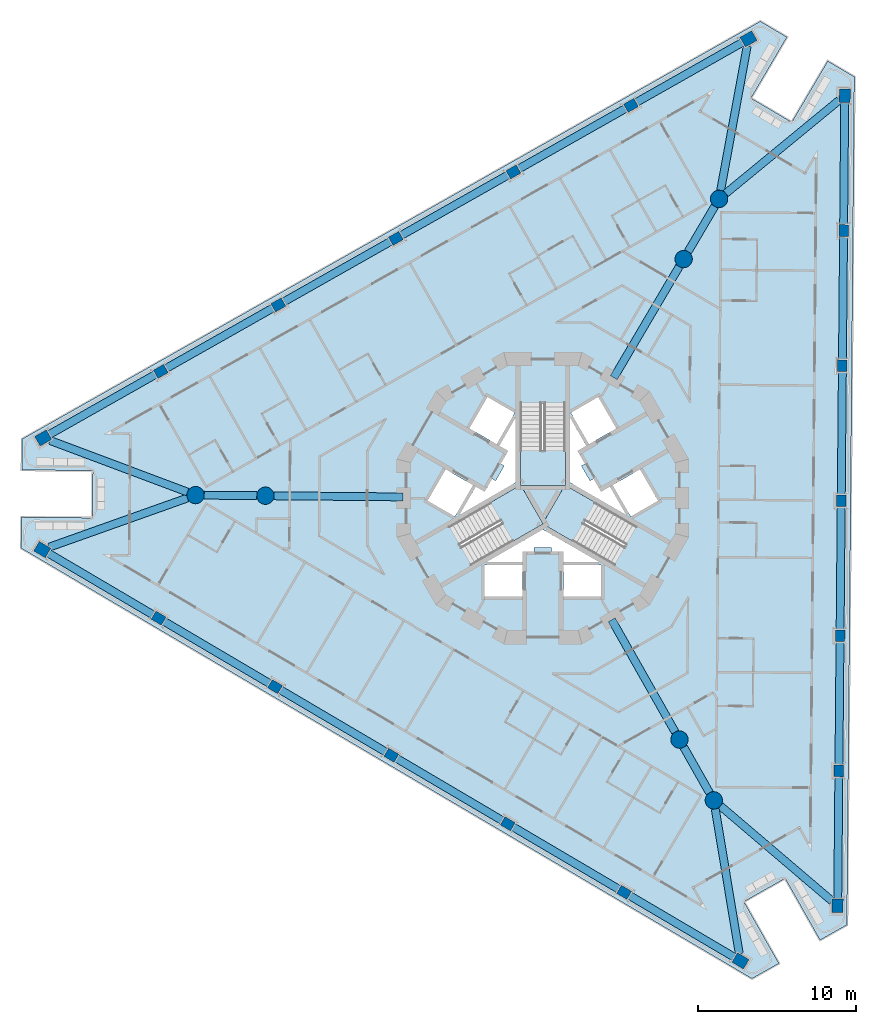
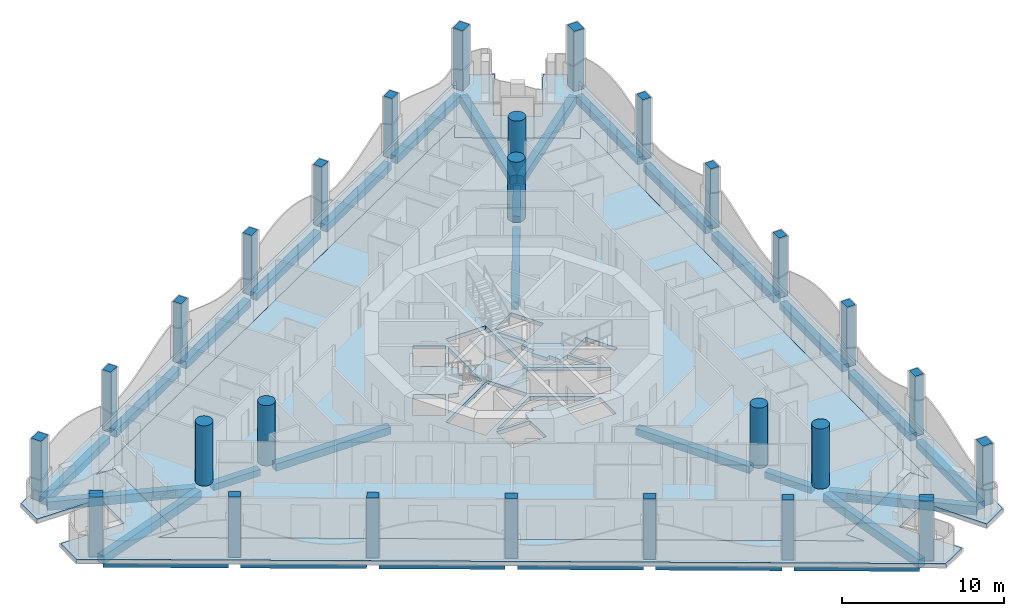
# One storey, part 1 of 17: 30 beams, 27 columns, 6 slabs, 3 elements without a shape of their own.
"""IFC4 building model written with IfcOpenShell, lengths in metres."""

from ifc_helpers import new_model, si_unit, direction, frame, origin, origin_2d, place, context, subcontext, project, spatial, polyline, rectangle, circle, outline, extrude, material, layer, layer_set, material_profile, profile_set, type_object, element, aggregate, save


model = new_model("IFC4")

# Units and contexts
model_context = context("Model", 3, precision=1e-05, world=origin(), true_north=direction((0.0, 1.0)))
body_context = subcontext(model_context, "Body", "Model", "MODEL_VIEW")
ifc_project = project(units=[si_unit("LENGTHUNIT", "METRE"), si_unit("AREAUNIT", "SQUARE_METRE"), si_unit("VOLUMEUNIT", "CUBIC_METRE"), si_unit("PLANEANGLEUNIT", "RADIAN"), si_unit("MASSUNIT", "GRAM", prefix="KILO")], contexts=[model_context])

# Site, building, storey
site_placement = place(None, origin())
site = spatial("IfcSite", under=ifc_project, at=site_placement, CompositionType="ELEMENT")
building_placement = place(site_placement, origin())
building = spatial("IfcBuilding", under=site, at=building_placement, Name="Trine Commons Tower", CompositionType="ELEMENT")
storey_placement = place(building_placement, frame((0.0, 0.0, 189.89990234375)))
storey = spatial("IfcBuildingStorey", under=building, at=storey_placement, Name="L49", CompositionType="ELEMENT", Elevation=189.89990234375)

# Columns
ifc_material_1 = material(Name="Concrete C60/75", Category="concrete")
ifc_material_profile_1 = material_profile(ifc_material_1, rectangle(XDim=0.75, YDim=0.60009765625, at=origin_2d()), Name="RC 750x600")
ifc_profile_set_1 = profile_set([ifc_material_profile_1], Name="Concrete C60/75")
column_type_1 = type_object("IfcColumnType", Name="RC column 750x600, C60/75", PredefinedType="COLUMN", material=ifc_profile_set_1)
for number, where, z_axis, x_axis, name in (
    (1, (85.15771484375, 37.483154296875, 0.0), (0.0, 0.0, 1.0), (-0.861629160442, 0.507538362961, 0.0), "Column PC5-02 L49"),
    (2, (77.773193359375, 41.8330078125, 0.0), (0.0, 0.0, 1.0), (-0.861629160442, 0.507538362961, 0.0), "Column PC5-03 L49"),
    (3, (70.388427734375, 46.182861328125, 0.0), (0.0, 0.0, 1.0), (-0.861629160442, 0.507538362961, 0.0), "Column PC5-04 L49"),
    (4, (63.00390625, 50.53271484375, 0.0), (0.0, 0.0, 1.0), (-0.861629160442, 0.507538362961, 0.0), "Column PC5-05 L49"),
    (5, (55.619140625, 54.8828125, 0.0), (0.0, 0.0, 1.0), (-0.861629160442, 0.507538362961, 0.0), "Column PC5-06 L49"),
    (6, (55.755859375, 70.541748046875, 0.0), (0.0, 0.0, 1.0), (0.87035569594, 0.492423560103, 0.0), "Column PC5-09 L49"),
    (7, (63.215087890625, 74.761962890625, 0.0), (0.0, 0.0, 1.0), (0.87035569594, 0.492423560103, 0.0), "Column PC5-10 L49"),
    (8, (70.6748046875, 78.982421875, 0.0), (0.0, 0.0, 1.0), (0.87035569594, 0.492423560103, 0.0), "Column PC5-11 L49"),
    (9, (78.13427734375, 83.202880859375, 0.0), (0.0, 0.0, 1.0), (0.87035569594, 0.492423560103, 0.0), "Column PC5-12 L49"),
    (10, (85.59375, 87.423095703125, 0.0), (0.0, 0.0, 1.0), (0.87035569594, 0.492423560103, 0.0), "Column PC5-13 L49"),
    (11, (99.08642578125, 79.475341796875, 0.0), (0.0, 0.0, 1.0), (0.008726535498, 0.999961923064, 0.0), "Column PC5-16 L49"),
    (12, (99.01171875, 70.905029296875, 0.0), (0.0, 0.0, 1.0), (0.008726535498, 0.999961923064, 0.0), "Column PC5-17 L49"),
    (13, (98.936767578125, 62.334716796875, 0.0), (0.0, 0.0, 1.0), (0.008726535498, 0.999961923064, 0.0), "Column PC5-18 L49"),
    (14, (98.862060546875, 53.764404296875, 0.0), (0.0, 0.0, 1.0), (0.008726535498, 0.999961923064, 0.0), "Column PC5-19 L49"),
    (15, (98.787109375, 45.194091796875, 0.0), (0.0, 0.0, 1.0), (0.008726535498, 0.999961923064, 0.0), "Column PC5-20 L49"),
):
    element("IfcColumn", number, at=place(storey_placement, frame(where, z_axis=z_axis, x_axis=x_axis)), inside=storey, type_object=column_type_1, Name=name, PredefinedType="COLUMN", context=body_context, shape_type="SweptSolid", body=[
        extrude(rectangle(XDim=0.75, YDim=0.60009765625, at=origin_2d()), origin(), (0.0, 0.0, 1.0), 4.54931640625),
    ])
ifc_material_profile_2 = material_profile(ifc_material_1, rectangle(XDim=0.85009765625, YDim=0.699951171875, at=origin_2d()), Name="RC 850x700")
ifc_profile_set_2 = profile_set([ifc_material_profile_2], Name="Concrete C60/75")
column_type_2 = type_object("IfcColumnType", Name="RC column 850x700, C60/75", PredefinedType="COLUMN", material=ifc_profile_set_2)
for number, where, z_axis, x_axis, name in (
    (16, (92.54248046875, 33.133056640625, 0.0), (0.0, 0.0, 1.0), (-0.861629160442, 0.507538362961, 0.0), "Column PC5-01 L49"),
    (17, (48.234375, 59.232666015625, 0.0), (0.0, 0.0, 1.0), (-0.861629160442, 0.507538362961, 0.0), "Column PC5-07 L49"),
    (18, (48.29638671875, 66.3212890625, 0.0), (0.0, 0.0, 1.0), (0.87035569594, 0.492423560103, 0.0), "Column PC5-08 L49"),
    (19, (93.052978515625, 91.6435546875, 0.0), (0.0, 0.0, 1.0), (0.87035569594, 0.492423560103, 0.0), "Column PC5-14 L49"),
    (20, (99.1611328125, 88.045654296875, 0.0), (0.0, 0.0, 1.0), (0.008726535498, 0.999961923064, 0.0), "Column PC5-15 L49"),
    (21, (98.71240234375, 36.623779296875, 0.0), (0.0, 0.0, 1.0), (0.008726535498, 0.999961923064, 0.0), "Column PC5-21 L49"),
):
    element("IfcColumn", number, at=place(storey_placement, frame(where, z_axis=z_axis, x_axis=x_axis)), inside=storey, type_object=column_type_2, Name=name, PredefinedType="COLUMN", context=body_context, shape_type="SweptSolid", body=[
        extrude(rectangle(XDim=0.85009765625, YDim=0.699951171875, at=origin_2d()), origin(), (0.0, 0.0, 1.0), 4.54931640625),
    ])
ifc_material_profile_3 = material_profile(ifc_material_1, circle(Radius=0.550048828125, at=origin_2d()), Name="RC round 1100")
ifc_profile_set_3 = profile_set([ifc_material_profile_3], Name="Concrete C60/75")
column_type_3 = type_object("IfcColumnType", Name="RC round column 1100 mm, C60/75", PredefinedType="COLUMN", material=ifc_profile_set_3)
for number, where, z_axis, x_axis, name in (
    (22, (88.66943359375, 47.177001953125, 0.0), (0.0, 0.0, 1.0), (1.0, 0.0, 0.0), "Column WC5-1 L49"),
    (23, (90.85205078125, 43.319091796875, 0.0), (0.0, 0.0, 1.0), (1.0, 0.0, 0.0), "Column WC5-2 L49"),
    (24, (88.935546875, 77.66943359375, 0.0), (0.0, 0.0, 1.0), (1.0, 0.0, 0.0), "Column WC5-3 L49"),
    (25, (91.185302734375, 81.488525390625, 0.0), (0.0, 0.0, 1.0), (1.0, 0.0, 0.0), "Column WC5-4 L49"),
    (26, (62.39501953125, 62.653564453125, 0.0), (0.0, 0.0, 1.0), (1.0, 0.0, 0.0), "Column WC5-5 L49"),
    (27, (57.962890625, 62.6923828125, 0.0), (0.0, 0.0, 1.0), (1.0, 0.0, 0.0), "Column WC5-6 L49"),
):
    element("IfcColumn", number, at=place(storey_placement, frame(where, z_axis=z_axis, x_axis=x_axis)), inside=storey, type_object=column_type_3, Name=name, PredefinedType="COLUMN", context=body_context, shape_type="SweptSolid", body=[
        extrude(circle(Radius=0.550048828125, at=origin_2d()), origin(), (0.0, 0.0, 1.0), 4.54931640625),
    ])

# Beams
ifc_material_2 = material(Name="Concrete C40/50", Category="concrete")
ifc_material_profile_4 = material_profile(ifc_material_2, rectangle(XDim=0.5, YDim=0.5, at=origin_2d()), Name="RC 500x500")
ifc_profile_set_4 = profile_set([ifc_material_profile_4], Name="Concrete C40/50")
beam_type_1 = type_object("IfcBeamType", Name="RC beam 500x500, C40/50", PredefinedType="BEAM", material=ifc_profile_set_4)
beam_1_placement = place(storey_placement, frame((88.93994140625, 46.698486328125, -0.5498046875), z_axis=(0.492474717644, -0.870326750411, 0.0), x_axis=(0.870326750411, 0.492474717644, 0.0)))
element("IfcBeam", 28, at=beam_1_placement, inside=storey, type_object=beam_type_1, Name="Beam RB5-02 L49", PredefinedType="BEAM", context=body_context, shape_type="SweptSolid", body=[
    extrude(rectangle(XDim=0.5, YDim=0.5, at=origin_2d()), origin(), (0.0, 0.0, 1.0), 3.333251953125),
])
beam_2_placement = place(storey_placement, frame((89.21435546875, 78.142578125, -0.5498046875), z_axis=(0.507522450497, 0.861638533401, 0.0), x_axis=(-0.861638533401, 0.507522450497, 0.0)))
element("IfcBeam", 29, at=beam_2_placement, inside=storey, type_object=beam_type_1, Name="Beam RB5-04 L49", PredefinedType="BEAM", context=body_context, shape_type="SweptSolid", body=[
    extrude(rectangle(XDim=0.5, YDim=0.5, at=origin_2d()), origin(), (0.0, 0.0, 1.0), 3.334228515625),
])
beam_3_placement = place(storey_placement, frame((61.84521484375, 62.658447265625, -0.5498046875), z_axis=(-0.999962000851, 0.008717617443, 0.0), x_axis=(-0.008717617443, -0.999962000851, 0.0)))
element("IfcBeam", 30, at=beam_3_placement, inside=storey, type_object=beam_type_1, Name="Beam RB5-06 L49", PredefinedType="BEAM", context=body_context, shape_type="SweptSolid", body=[
    extrude(rectangle(XDim=0.5, YDim=0.5, at=origin_2d()), origin(), (0.0, 0.0, 1.0), 3.332763671875),
])
ifc_material_profile_5 = material_profile(ifc_material_2, rectangle(XDim=0.5, YDim=0.550048828125, at=origin_2d()), Name="RC 500x550")
ifc_profile_set_5 = profile_set([ifc_material_profile_5], Name="Concrete C40/50")
beam_type_2 = type_object("IfcBeamType", Name="RC beam 500x550, C40/50", PredefinedType="BEAM", material=ifc_profile_set_5)
beam_4_placement = place(storey_placement, frame((92.17626953125, 33.348876953125, -0.574951171875), z_axis=(-0.861628755535, 0.507539050354, 0.0), x_axis=(-0.507539050354, -0.861628755535, 0.0)))
element("IfcBeam", 31, at=beam_4_placement, inside=storey, type_object=beam_type_2, Name="Beam EB5-01 L49", PredefinedType="BEAM", context=body_context, shape_type="SweptSolid", body=[
    extrude(rectangle(XDim=0.5, YDim=0.550048828125, at=origin_2d()), origin(), (0.0, 0.0, 1.0), 7.7705078125),
])
beam_5_placement = place(storey_placement, frame((84.834716796875, 37.67333984375, -0.574951171875), z_axis=(-0.861632320767, 0.507532997755, 0.0), x_axis=(-0.507532997755, -0.861632320767, 0.0)))
element("IfcBeam", 32, at=beam_5_placement, inside=storey, type_object=beam_type_2, Name="Beam EB5-02 L49", PredefinedType="BEAM", context=body_context, shape_type="SweptSolid", body=[
    extrude(rectangle(XDim=0.5, YDim=0.550048828125, at=origin_2d()), origin(), (0.0, 0.0, 1.0), 7.820556640625),
])
beam_6_placement = place(storey_placement, frame((77.4501953125, 42.023193359375, -0.574951171875), z_axis=(-0.861618669075, 0.507556173345, 0.0), x_axis=(-0.507556173345, -0.861618669075, 0.0)))
element("IfcBeam", 33, at=beam_6_placement, inside=storey, type_object=beam_type_2, Name="Beam EB5-03 L49", PredefinedType="BEAM", context=body_context, shape_type="SweptSolid", body=[
    extrude(rectangle(XDim=0.5, YDim=0.550048828125, at=origin_2d()), origin(), (0.0, 0.0, 1.0), 7.82080078125),
])
for number, where, z_axis, x_axis, name in (
    (34, (70.0654296875, 46.373291015625, -0.574951171875), (-0.861632320767, 0.507532997755, 0.0), (-0.507532997755, -0.861632320767, 0.0), "Beam EB5-04 L49"),
    (35, (62.6806640625, 50.72314453125, -0.574951171875), (-0.861632320767, 0.507532997755, 0.0), (-0.507532997755, -0.861632320767, 0.0), "Beam EB5-05 L49"),
):
    element("IfcBeam", number, at=place(storey_placement, frame(where, z_axis=z_axis, x_axis=x_axis)), inside=storey, type_object=beam_type_2, Name=name, PredefinedType="BEAM", context=body_context, shape_type="SweptSolid", body=[
        extrude(rectangle(XDim=0.5, YDim=0.550048828125, at=origin_2d()), origin(), (0.0, 0.0, 1.0), 7.820556640625),
    ])
for number, where, z_axis, x_axis, name in (
    (36, (55.2958984375, 55.072998046875, -0.574951171875), (-0.861628755535, 0.507539050354, 0.0), (-0.507539050354, -0.861628755535, 0.0), "Beam EB5-06 L49"),
    (37, (48.666259765625, 66.530517578125, -0.574951171875), (0.870356200913, 0.492422667566, 0.0), (-0.492422667566, 0.870356200913, 0.0), "Beam EB5-07 L49"),
):
    element("IfcBeam", number, at=place(storey_placement, frame(where, z_axis=z_axis, x_axis=x_axis)), inside=storey, type_object=beam_type_2, Name=name, PredefinedType="BEAM", context=body_context, shape_type="SweptSolid", body=[
        extrude(rectangle(XDim=0.5, YDim=0.550048828125, at=origin_2d()), origin(), (0.0, 0.0, 1.0), 7.7705078125),
    ])
for number, where, z_axis, x_axis, name in (
    (38, (56.082275390625, 70.726318359375, -0.574951171875), (0.87035228491, 0.49242958903, 0.0), (-0.49242958903, 0.87035228491, 0.0), "Beam EB5-08 L49"),
    (39, (63.54150390625, 74.94677734375, -0.574951171875), (0.870373233333, 0.492392561578, 0.0), (-0.492392561578, 0.870373233333, 0.0), "Beam EB5-09 L49"),
    (40, (71.001220703125, 79.1669921875, -0.574951171875), (0.87035228491, 0.49242958903, 0.0), (-0.49242958903, 0.87035228491, 0.0), "Beam EB5-10 L49"),
    (41, (78.460693359375, 83.387451171875, -0.574951171875), (0.870365664344, 0.492405940592, 0.0), (-0.492405940592, 0.870365664344, 0.0), "Beam EB5-11 L49"),
):
    element("IfcBeam", number, at=place(storey_placement, frame(where, z_axis=z_axis, x_axis=x_axis)), inside=storey, type_object=beam_type_2, Name=name, PredefinedType="BEAM", context=body_context, shape_type="SweptSolid", body=[
        extrude(rectangle(XDim=0.5, YDim=0.550048828125, at=origin_2d()), origin(), (0.0, 0.0, 1.0), 7.820556640625),
    ])
beam_7_placement = place(storey_placement, frame((85.920166015625, 87.60791015625, -0.574951171875), z_axis=(0.870362048186, 0.492412332377, 0.0), x_axis=(-0.492412332377, 0.870362048186, 0.0)))
element("IfcBeam", 42, at=beam_7_placement, inside=storey, type_object=beam_type_2, Name="Beam EB5-12 L49", PredefinedType="BEAM", context=body_context, shape_type="SweptSolid", body=[
    extrude(rectangle(XDim=0.5, YDim=0.550048828125, at=origin_2d()), origin(), (0.0, 0.0, 1.0), 7.770263671875),
])
beam_8_placement = place(storey_placement, frame((99.157470703125, 87.62060546875, -0.574951171875), z_axis=(-0.008734388901, -0.999961854498, 0.0), x_axis=(0.999961854498, -0.008734388901, 0.0)))
element("IfcBeam", 43, at=beam_8_placement, inside=storey, type_object=beam_type_2, Name="Beam EB5-13 L49", PredefinedType="BEAM", context=body_context, shape_type="SweptSolid", body=[
    extrude(rectangle(XDim=0.5, YDim=0.550048828125, at=origin_2d()), origin(), (0.0, 0.0, 1.0), 7.7705078125),
])
for number, where, z_axis, x_axis, name in (
    (44, (99.0830078125, 79.100341796875, -0.574951171875), (-0.008709709586, -0.99996206976, 0.0), (0.99996206976, -0.008709709586, 0.0), "Beam EB5-14 L49"),
    (45, (99.00830078125, 70.530029296875, -0.574951171875), (-0.008709709586, -0.99996206976, 0.0), (0.99996206976, -0.008709709586, 0.0), "Beam EB5-15 L49"),
    (46, (98.93359375, 61.959716796875, -0.574951171875), (-0.008740924802, -0.999961797387, 0.0), (0.999961797387, -0.008740924802, 0.0), "Beam EB5-16 L49"),
    (47, (98.858642578125, 53.389404296875, -0.574951171875), (-0.008709709586, -0.99996206976, 0.0), (0.99996206976, -0.008709709586, 0.0), "Beam EB5-17 L49"),
):
    element("IfcBeam", number, at=place(storey_placement, frame(where, z_axis=z_axis, x_axis=x_axis)), inside=storey, type_object=beam_type_2, Name=name, PredefinedType="BEAM", context=body_context, shape_type="SweptSolid", body=[
        extrude(rectangle(XDim=0.5, YDim=0.550048828125, at=origin_2d()), origin(), (0.0, 0.0, 1.0), 7.820556640625),
    ])
beam_9_placement = place(storey_placement, frame((98.783935546875, 44.819091796875, -0.574951171875), z_axis=(-0.008734388901, -0.999961854498, 0.0), x_axis=(0.999961854498, -0.008734388901, 0.0)))
element("IfcBeam", 48, at=beam_9_placement, inside=storey, type_object=beam_type_2, Name="Beam EB5-18 L49", PredefinedType="BEAM", context=body_context, shape_type="SweptSolid", body=[
    extrude(rectangle(XDim=0.5, YDim=0.550048828125, at=origin_2d()), origin(), (0.0, 0.0, 1.0), 7.7705078125),
])
beam_10_placement = place(storey_placement, frame((84.369384765625, 54.777099609375, -0.574951171875), z_axis=(0.492419995537, -0.870357712665, 0.0), x_axis=(0.870357712665, 0.492419995537, 0.0)))
element("IfcBeam", 49, at=beam_10_placement, inside=storey, type_object=beam_type_2, Name="Beam RB5-01 L49", PredefinedType="BEAM", context=body_context, shape_type="SweptSolid", body=[
    extrude(rectangle(XDim=0.5, YDim=0.550048828125, at=origin_2d()), origin(), (0.0, 0.0, 1.0), 8.1826171875),
])
beam_11_placement = place(storey_placement, frame((84.50341796875, 70.1455078125, -0.574951171875), z_axis=(0.507559825452, 0.861616517708, 0.0), x_axis=(-0.861616517708, 0.507559825452, 0.0)))
element("IfcBeam", 50, at=beam_11_placement, inside=storey, type_object=beam_type_2, Name="Beam RB5-03 L49", PredefinedType="BEAM", context=body_context, shape_type="SweptSolid", body=[
    extrude(rectangle(XDim=0.5, YDim=0.550048828125, at=origin_2d()), origin(), (0.0, 0.0, 1.0), 8.182861328125),
])
beam_12_placement = place(storey_placement, frame((71.127197265625, 62.577392578125, -0.574951171875), z_axis=(-0.999962048186, 0.008712186128, 0.0), x_axis=(-0.008712186128, -0.999962048186, 0.0)))
element("IfcBeam", 51, at=beam_12_placement, inside=storey, type_object=beam_type_2, Name="Beam RB5-05 L49", PredefinedType="BEAM", context=body_context, shape_type="SweptSolid", body=[
    extrude(rectangle(XDim=0.5, YDim=0.550048828125, at=origin_2d()), origin(), (0.0, 0.0, 1.0), 8.1826171875),
])
ifc_material_profile_6 = material_profile(ifc_material_2, rectangle(XDim=0.5, YDim=0.64990234375, at=origin_2d()), Name="RC 500x650")
ifc_profile_set_6 = profile_set([ifc_material_profile_6], Name="Concrete C40/50")
beam_type_3 = type_object("IfcBeamType", Name="RC beam 500x650, C40/50", PredefinedType="BEAM", material=ifc_profile_set_6)
beam_13_placement = place(storey_placement, frame((48.664306640625, 59.385498046875, -0.625), z_axis=(0.94219208675, 0.335073233287, 0.0), x_axis=(-0.335073233287, 0.94219208675, 0.0)))
element("IfcBeam", 52, at=beam_13_placement, inside=storey, type_object=beam_type_3, Name="Beam CB5-01 L49", PredefinedType="BEAM", context=body_context, shape_type="SweptSolid", body=[
    extrude(rectangle(XDim=0.5, YDim=0.64990234375, at=origin_2d()), origin(), (0.0, 0.0, 1.0), 9.31982421875),
])
beam_14_placement = place(storey_placement, frame((48.7236328125, 66.160888671875, -0.625), z_axis=(0.936203156272, -0.351459315123, 0.0), x_axis=(0.351459315123, 0.936203156272, 0.0)))
element("IfcBeam", 53, at=beam_14_placement, inside=storey, type_object=beam_type_3, Name="Beam CB5-02 L49", PredefinedType="BEAM", context=body_context, shape_type="SweptSolid", body=[
    extrude(rectangle(XDim=0.5, YDim=0.64990234375, at=origin_2d()), origin(), (0.0, 0.0, 1.0), 9.3193359375),
])
beam_15_placement = place(storey_placement, frame((92.970458984375, 91.194580078125, -0.625), z_axis=(-0.180897704794, -0.983501916826, 0.0), x_axis=(0.983501916826, -0.180897704794, 0.0)))
element("IfcBeam", 54, at=beam_15_placement, inside=storey, type_object=beam_type_3, Name="Beam CB5-03 L49", PredefinedType="BEAM", context=body_context, shape_type="SweptSolid", body=[
    extrude(rectangle(XDim=0.5, YDim=0.64990234375, at=origin_2d()), origin(), (0.0, 0.0, 1.0), 9.319091796875),
])
beam_16_placement = place(storey_placement, frame((98.80859375, 87.755859375, -0.625), z_axis=(-0.772466897343, -0.635055031087, 0.0), x_axis=(0.635055031087, -0.772466897343, 0.0)))
element("IfcBeam", 55, at=beam_16_placement, inside=storey, type_object=beam_type_3, Name="Beam CB5-04 L49", PredefinedType="BEAM", context=body_context, shape_type="SweptSolid", body=[
    extrude(rectangle(XDim=0.5, YDim=0.64990234375, at=origin_2d()), origin(), (0.0, 0.0, 1.0), 9.31884765625),
])
beam_17_placement = place(storey_placement, frame((98.364990234375, 36.919921875, -0.625), z_axis=(-0.761281547068, 0.648421472573, 0.0), x_axis=(-0.648421472573, -0.761281547068, 0.0)))
element("IfcBeam", 56, at=beam_17_placement, inside=storey, type_object=beam_type_3, Name="Beam CB5-05 L49", PredefinedType="BEAM", context=body_context, shape_type="SweptSolid", body=[
    extrude(rectangle(XDim=0.5, YDim=0.64990234375, at=origin_2d()), origin(), (0.0, 0.0, 1.0), 9.319091796875),
])
beam_18_placement = place(storey_placement, frame((92.4677734375, 33.583251953125, -0.625), z_axis=(-0.163727753956, 0.986505561355, 0.0), x_axis=(-0.986505561355, -0.163727753956, 0.0)))
element("IfcBeam", 57, at=beam_18_placement, inside=storey, type_object=beam_type_3, Name="Beam CB5-06 L49", PredefinedType="BEAM", context=body_context, shape_type="SweptSolid", body=[
    extrude(rectangle(XDim=0.5, YDim=0.64990234375, at=origin_2d()), origin(), (0.0, 0.0, 1.0), 9.319580078125),
])

# Slabs
ifc_layer_1 = layer(ifc_material_2, 0.300048828125)
ifc_layer_set_1 = layer_set([ifc_layer_1], Name="Concrete C40/50")
slab_type_1 = type_object("IfcSlabType", Name="Loggia slab 300 mm, C40/50", PredefinedType="FLOOR", material=ifc_layer_set_1)
slab_1_placement = place(storey_placement, frame((0.0, 0.0, -0.2998046875)))
element("IfcSlab", 58, at=slab_1_placement, inside=storey, type_object=slab_type_1, Name="Loggia slab L49", PredefinedType="FLOOR", context=body_context, shape_type="SweptSolid", body=[
    extrude(outline(polyline([(99.302001953125, 35.418701171875), (99.771484375, 89.240234375), (98.079345703125, 90.237060546875), (95.79541015625, 86.35986328125), (93.21044921875, 87.88232421875), (95.494384765625, 91.759765625), (93.802001953125, 92.756591796875), (46.956298828125, 66.252685546875), (46.939208984375, 64.28857421875), (51.439208984375, 64.249267578125), (51.412841796875, 61.24951171875), (46.9130859375, 61.288818359375), (46.89599609375, 59.32470703125), (93.27197265625, 32.007080078125), (94.9814453125, 32.974365234375), (92.765380859375, 36.890869140625), (95.376708984375, 38.3681640625), (97.592529296875, 34.45166015625), (99.302001953125, 35.418701171875)]), holes=[polyline([(90.156982421875, 36.627197265625), (89.494873046875, 37.7978515625), (96.28369140625, 41.638916015625), (96.94580078125, 40.46826171875), (97.327880859375, 84.232666015625), (96.645263671875, 83.07373046875), (89.924560546875, 87.03271484375), (90.607177734375, 88.19140625), (52.514892578125, 66.639892578125), (53.860107421875, 66.62841796875), (53.7919921875, 58.82861328125), (52.447021484375, 58.84033203125), (90.156982421875, 36.627197265625)])]), origin(), (0.0, 0.0, 1.0), 0.2998046875),
])
ifc_layer_2 = layer(ifc_material_2, 0.300048828125)
ifc_layer_set_2 = layer_set([ifc_layer_2], Name="Concrete C40/50")
slab_type_2 = type_object("IfcSlabType", Name="PT flat slab 300 mm, C40/50", PredefinedType="FLOOR", material=ifc_layer_set_2)
slab_2_placement = place(storey_placement, frame((0.0, 0.0, -0.2998046875)))
element("IfcSlab", 59, at=slab_2_placement, inside=storey, type_object=slab_type_2, Name="Floor slab L49", PredefinedType="FLOOR", context=body_context, shape_type="SweptSolid", body=[
    extrude(outline(polyline([(52.447021484375, 58.84033203125), (90.156982421875, 36.627197265625), (89.494873046875, 37.7978515625), (96.28369140625, 41.638916015625), (96.94580078125, 40.46826171875), (97.327880859375, 84.232666015625), (96.645263671875, 83.07373046875), (89.924560546875, 87.03271484375), (90.607177734375, 88.19140625), (52.514892578125, 66.639892578125), (53.860107421875, 66.62841796875), (53.7919921875, 58.82861328125), (52.447021484375, 58.84033203125)]), holes=[polyline([(78.699951171875, 56.25), (78.699951171875, 58.25), (76.300048828125, 58.25), (76.300048828125, 56.25), (78.699951171875, 56.25)]), polyline([(80.0, 60.8544921875), (84.4755859375, 58.2705078125), (85.900390625, 60.73876953125), (81.425048828125, 63.32275390625), (81.425048828125, 68.490478515625), (78.574951171875, 68.490478515625), (78.574951171875, 63.32275390625), (74.099609375, 60.73876953125), (75.5244140625, 58.2705078125), (80.0, 60.8544921875)]), polyline([(73.83740234375, 64.325927734375), (72.687255859375, 62.333984375), (74.41943359375, 61.333984375), (75.5693359375, 63.325927734375), (73.83740234375, 64.325927734375)]), polyline([(76.381103515625, 63.031005859375), (75.742919921875, 63.22607421875), (74.7099609375, 61.43798828125), (78.27490234375, 63.49609375), (78.27490234375, 67.612060546875), (77.242919921875, 65.823974609375), (77.73095703125, 65.368896484375), (77.3310546875, 64.676025390625), (77.555908203125, 64.5458984375), (77.006103515625, 63.593994140625), (76.781005859375, 63.722900390625), (76.381103515625, 63.031005859375)]), polyline([(76.4873046875, 68.916015625), (75.33740234375, 66.924072265625), (77.0693359375, 65.924072265625), (78.219482421875, 67.916015625), (76.4873046875, 68.916015625)]), polyline([(83.699951171875, 56.25), (83.699951171875, 58.25), (81.300048828125, 58.25), (81.300048828125, 56.25), (83.699951171875, 56.25)]), polyline([(81.14990234375, 59.10009765625), (81.300048828125, 58.449951171875), (83.56494140625, 58.449951171875), (80.0, 60.508056640625), (76.43505859375, 58.449951171875), (78.699951171875, 58.449951171875), (78.85009765625, 59.10009765625), (79.449951171875, 59.10009765625), (79.449951171875, 59.360107421875), (80.550048828125, 59.360107421875), (80.550048828125, 59.10009765625), (81.14990234375, 59.10009765625)]), polyline([(86.16259765625, 64.325927734375), (84.4306640625, 63.325927734375), (85.58056640625, 61.333984375), (87.312744140625, 62.333984375), (86.16259765625, 64.325927734375)]), polyline([(83.243896484375, 63.738037109375), (82.993896484375, 63.593994140625), (82.444091796875, 64.5458984375), (82.72705078125, 64.7099609375), (82.281005859375, 65.549072265625), (82.757080078125, 65.823974609375), (81.72509765625, 67.612060546875), (81.72509765625, 63.49609375), (85.2900390625, 61.43798828125), (84.257080078125, 63.22607421875), (83.618896484375, 63.031005859375), (83.243896484375, 63.738037109375)]), polyline([(84.66259765625, 66.924072265625), (83.5126953125, 68.916015625), (81.780517578125, 67.916015625), (82.9306640625, 65.924072265625), (84.66259765625, 66.924072265625)])]), origin(), (0.0, 0.0, 1.0), 0.2998046875),
])
slab_3_placement = place(storey_placement, frame((0.0, 0.0, -0.2998046875)))
element("IfcSlab", 60, at=slab_3_placement, inside=storey, type_object=slab_type_2, Name="Floor slab L49 2", PredefinedType="FLOOR", context=body_context, shape_type="SweptSolid", body=[
    extrude(outline(polyline([(78.61328125, 63.300537109375), (80.0, 60.89892578125), (81.38671875, 63.300537109375), (78.61328125, 63.300537109375)])), origin(), (0.0, 0.0, 1.0), 0.2998046875),
])

# Stair, slab
ifc_material_3 = material(Name="Concrete C50/60", Category="concrete")
stair_type = type_object("IfcStairType", Name="Exit stair, dog-leg, 24 risers of 150 mm", PredefinedType="HALF_TURN_STAIR", material=ifc_material_3)
stair_1_placement = place(storey_placement, origin())
stair_1 = element("IfcStair", 61, at=stair_1_placement, inside=storey, type_object=stair_type, Name="L49 Exit stair ST1B", PredefinedType="HALF_TURN_STAIR")
ifc_layer_3 = layer(ifc_material_3, 0.199951171875)
ifc_layer_set_3 = layer_set([ifc_layer_3], Name="Concrete C50/60")
slab_type_3 = type_object("IfcSlabType", Name="Stair landing slab 200 mm, C50/60", PredefinedType="LANDING", material=ifc_layer_set_3)
slab_4_placement = place(storey_placement, frame((0.0, 0.0, 1.60009765625)))
slab_4 = element("IfcSlab", 62, at=slab_4_placement, type_object=slab_type_3, Name="ST1B landing 1", PredefinedType="LANDING", context=body_context, shape_type="SweptSolid", body=[
    extrude(outline(polyline([(78.574951171875, 65.570556640625), (78.574951171875, 63.300537109375), (81.425048828125, 63.300537109375), (81.425048828125, 65.570556640625), (78.574951171875, 65.570556640625)])), origin(), (0.0, 0.0, 1.0), 0.199951171875),
])
aggregate(stair_1, [slab_4])

stair_2_placement = place(storey_placement, origin())
stair_2 = element("IfcStair", 63, at=stair_2_placement, inside=storey, type_object=stair_type, Name="L49 Exit stair ST2B", PredefinedType="HALF_TURN_STAIR")
slab_5_placement = place(storey_placement, frame((0.0, 0.0, 1.60009765625)))
slab_5 = element("IfcSlab", 64, at=slab_5_placement, type_object=slab_type_3, Name="ST2B landing 1", PredefinedType="LANDING", context=body_context, shape_type="SweptSolid", body=[
    extrude(outline(polyline([(78.05322265625, 59.730712890625), (80.019287109375, 60.86572265625), (78.59423828125, 63.333740234375), (76.628173828125, 62.19873046875), (78.05322265625, 59.730712890625)])), origin(), (0.0, 0.0, 1.0), 0.199951171875),
])
aggregate(stair_2, [slab_5])

stair_3_placement = place(storey_placement, origin())
stair_3 = element("IfcStair", 65, at=stair_3_placement, inside=storey, type_object=stair_type, Name="L49 Exit stair ST3B", PredefinedType="HALF_TURN_STAIR")
slab_6_placement = place(storey_placement, frame((0.0, 0.0, 1.60009765625)))
slab_6 = element("IfcSlab", 66, at=slab_6_placement, type_object=slab_type_3, Name="ST3B landing 1", PredefinedType="LANDING", context=body_context, shape_type="SweptSolid", body=[
    extrude(outline(polyline([(83.371826171875, 62.19873046875), (81.40576171875, 63.333740234375), (79.980712890625, 60.86572265625), (81.94677734375, 59.730712890625), (83.371826171875, 62.19873046875)])), origin(), (0.0, 0.0, 1.0), 0.199951171875),
])
aggregate(stair_3, [slab_6])

save(model, "model.ifc")
